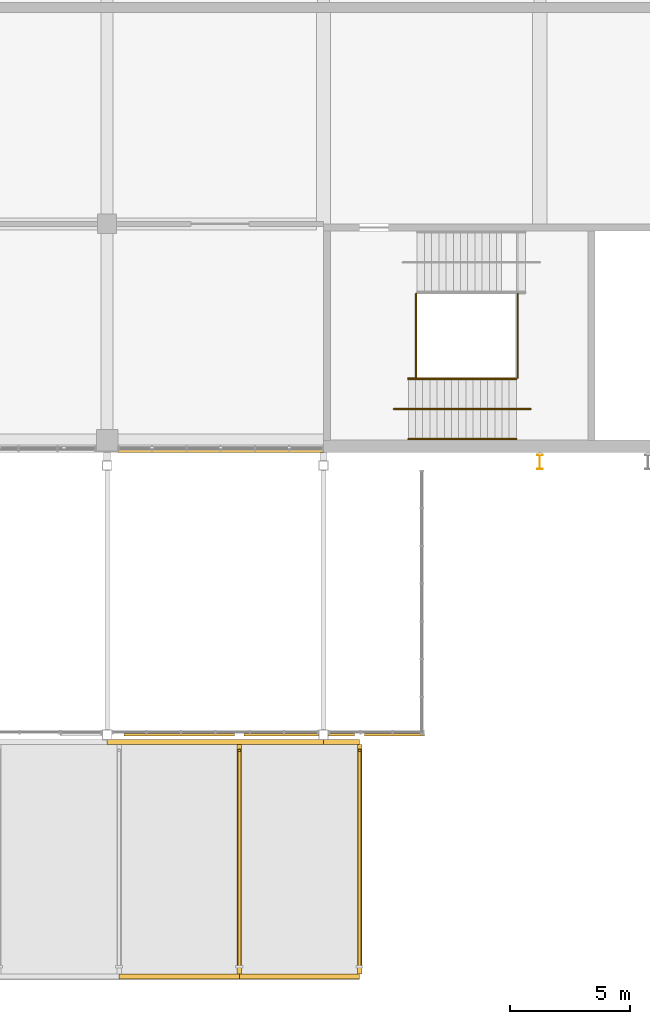
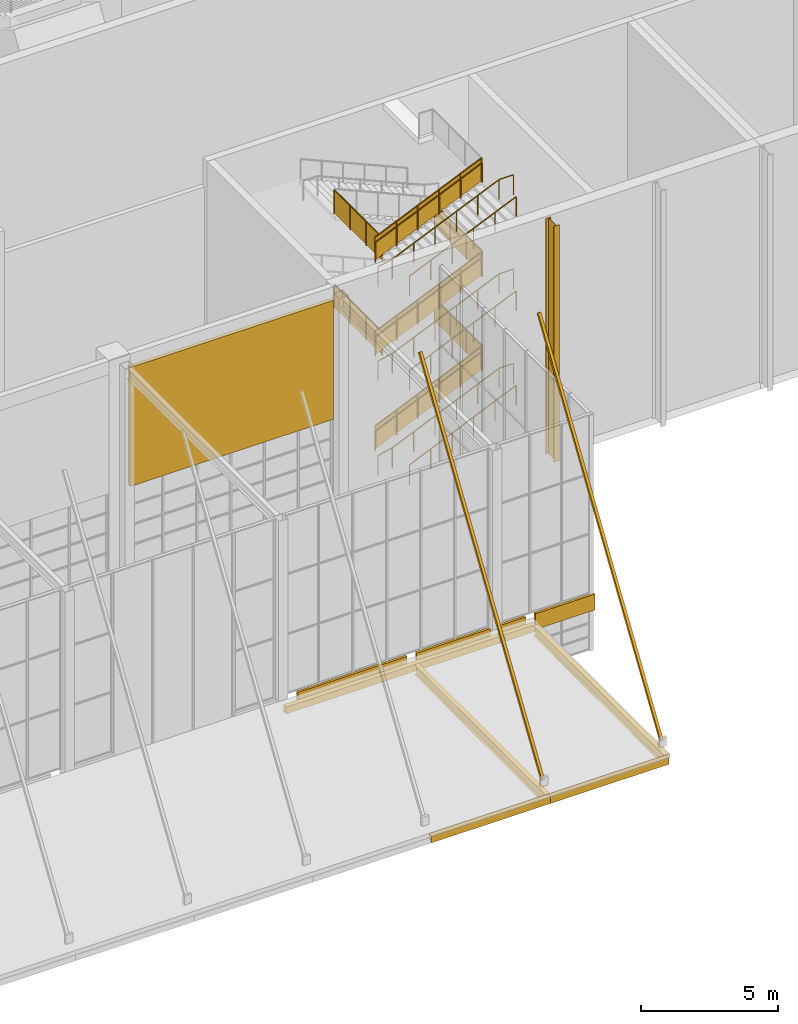
# One storey, part 155 of 182: 16 railings, 9 shading devices, 5 coverings.
"""IFC4 building model written with IfcOpenShell, lengths in metres."""

from ifc_helpers import new_model, si_unit, direction, frame, origin, origin_2d, place, context, subcontext, project, spatial, polyline, hollow_rectangle, circle, i_section, outline, extrude, material, layer, layer_set, material_profile, profile_set, type_object, element, save


model = new_model("IFC4")

# Units and contexts
model_context = context("Model", 3, precision=1e-05, world=origin(), true_north=direction((0.0, 1.0)))
body_context = subcontext(model_context, "Body", "Model", "MODEL_VIEW")
ifc_project = project(units=[si_unit("LENGTHUNIT", "METRE"), si_unit("AREAUNIT", "SQUARE_METRE"), si_unit("VOLUMEUNIT", "CUBIC_METRE"), si_unit("PLANEANGLEUNIT", "RADIAN"), si_unit("MASSUNIT", "GRAM", prefix="KILO")], contexts=[model_context])

# Site, building, storey
site_placement = place(None, origin())
site = spatial("IfcSite", under=ifc_project, at=site_placement, CompositionType="ELEMENT")
building_placement = place(site_placement, origin())
building = spatial("IfcBuilding", under=site, at=building_placement, Name="Silverbay Arena", CompositionType="ELEMENT")
storey_placement = place(building_placement, frame((0.0, 0.0, 11.5)))
storey = spatial("IfcBuildingStorey", under=building, at=storey_placement, Name="L02", CompositionType="ELEMENT", Elevation=11.5)

# Coverings
ifc_material_1 = material(Name="Aluminium composite cladding", Category="aluminium")
ifc_layer_1 = layer(ifc_material_1, 0.10009765625)
ifc_layer_set_1 = layer_set([ifc_layer_1], Name="Aluminium composite cladding")
covering_type_1 = type_object("IfcCoveringType", Name="Canopy band cladding 100", PredefinedType="CLADDING", material=ifc_layer_set_1)
covering_1_placement = place(storey_placement, frame((0.0, 0.0, 1.800048828125)))
element("IfcCovering", 1, at=covering_1_placement, inside=storey, type_object=covering_type_1, Name="Canopy band cladding", PredefinedType="CLADDING", context=body_context, shape_type="SweptSolid", body=[
    extrude(outline(polyline([(135.699951171875, 5.699951171875), (140.300048828125, 5.699951171875), (140.300048828125, 5.800048828125), (135.699951171875, 5.800048828125), (135.699951171875, 5.699951171875)])), origin(), (0.0, 0.0, 1.0), 0.699951171875),
])
covering_2_placement = place(storey_placement, frame((0.0, 0.0, 1.800048828125)))
element("IfcCovering", 2, at=covering_2_placement, inside=storey, type_object=covering_type_1, Name="Canopy band cladding", PredefinedType="CLADDING", context=body_context, shape_type="SweptSolid", body=[
    extrude(outline(polyline([(140.699951171875, 5.699951171875), (143.800048828125, 5.699951171875), (143.800048828125, 5.800048828125), (140.699951171875, 5.800048828125), (140.699951171875, 5.699951171875)])), origin(), (0.0, 0.0, 1.0), 0.699951171875),
])
covering_3_placement = place(storey_placement, frame((0.0, 0.0, 1.800048828125)))
element("IfcCovering", 3, at=covering_3_placement, inside=storey, type_object=covering_type_1, Name="Canopy band cladding", PredefinedType="CLADDING", context=body_context, shape_type="SweptSolid", body=[
    extrude(outline(polyline([(144.199951171875, 5.699951171875), (145.300048828125, 5.699951171875), (145.300048828125, 5.800048828125), (144.199951171875, 5.800048828125), (144.199951171875, 5.699951171875)])), origin(), (0.0, 0.0, 1.0), 0.699951171875),
])
covering_4_placement = place(storey_placement, frame((0.0, 0.0, 1.800048828125)))
element("IfcCovering", 4, at=covering_4_placement, inside=storey, type_object=covering_type_1, Name="Canopy band cladding", PredefinedType="CLADDING", context=body_context, shape_type="SweptSolid", body=[
    extrude(outline(polyline([(145.699951171875, 5.699951171875), (148.199951171875, 5.699951171875), (148.199951171875, 5.800048828125), (145.699951171875, 5.800048828125), (145.699951171875, 5.699951171875)])), origin(), (0.0, 0.0, 1.0), 0.699951171875),
])

# Shading devices
ifc_material_2 = material(Name="Steel S355", Category="steel")
ifc_material_profile_1 = material_profile(ifc_material_2, i_section(OverallWidth=0.18994140625, OverallDepth=0.453369140625, WebThickness=0.008544921875, FlangeThickness=0.0126953125, at=origin_2d()), Name="UB 457x191x67")
ifc_profile_set_1 = profile_set([ifc_material_profile_1], Name="Steel S355")
shading_device_type_1 = type_object("IfcShadingDeviceType", Name="Canopy beam UB 457x191x67", PredefinedType="USERDEFINED", material=ifc_profile_set_1)
for number, where, z_axis, x_axis, name in (
    (5, (140.5, 5.35009765625, 2.0732421875), (0.0, -1.0, 0.0), (1.0, 0.0, 0.0), "South entrance hall S1 canopy beam 6"),
    (6, (145.5, 5.35009765625, 2.0732421875), (0.0, -1.0, 0.0), (1.0, 0.0, 0.0), "South entrance hall S1 canopy beam 7"),
):
    element("IfcShadingDevice", number, at=place(storey_placement, frame(where, z_axis=z_axis, x_axis=x_axis)), inside=storey, type_object=shading_device_type_1, Name=name, ObjectType="CANOPY FRAME", PredefinedType="USERDEFINED", context=body_context, shape_type="SweptSolid", body=[
        extrude(i_section(OverallWidth=0.18994140625, OverallDepth=0.453369140625, WebThickness=0.008544921875, FlangeThickness=0.0126953125, at=origin_2d()), origin(), (0.0, 0.0, 1.0), 9.550048828125),
    ])
ifc_material_3 = material(Name="Steel S355", Category="steel")
ifc_material_profile_2 = material_profile(ifc_material_3, hollow_rectangle(XDim=0.199951171875, YDim=0.300048828125, WallThickness=0.008056640625, at=origin_2d()), Name="RHS 300x200x8")
ifc_profile_set_2 = profile_set([ifc_material_profile_2], Name="Steel S355")
shading_device_type_2 = type_object("IfcShadingDeviceType", Name="Canopy edge beam RHS 300x200x8", PredefinedType="USERDEFINED", material=ifc_profile_set_2)
for number, where, z_axis, x_axis, name in (
    (7, (135.5, -4.300048828125, 2.14990234375), (1.0, 0.0, 0.0), (0.0, 1.0, 0.0), "South entrance hall S1 canopy edge beam 5"),
    (8, (140.5, -4.300048828125, 2.14990234375), (1.0, 0.0, 0.0), (0.0, 1.0, 0.0), "South entrance hall S1 canopy edge beam 6"),
):
    element("IfcShadingDevice", number, at=place(storey_placement, frame(where, z_axis=z_axis, x_axis=x_axis)), inside=storey, type_object=shading_device_type_2, Name=name, ObjectType="CANOPY FRAME", PredefinedType="USERDEFINED", context=body_context, shape_type="SweptSolid", body=[
        extrude(hollow_rectangle(XDim=0.199951171875, YDim=0.300048828125, WallThickness=0.008056640625, at=origin_2d()), origin(), (0.0, 0.0, 1.0), 5.0),
    ])
ifc_material_4 = material(Name="Steel S355", Category="steel")
ifc_material_profile_3 = material_profile(ifc_material_4, hollow_rectangle(XDim=0.199951171875, YDim=0.300048828125, WallThickness=0.008056640625, at=origin_2d()), Name="RHS 300x200x8")
ifc_profile_set_3 = profile_set([ifc_material_profile_3], Name="Steel S355")
shading_device_type_3 = type_object("IfcShadingDeviceType", Name="Canopy rail RHS 300x200x8", PredefinedType="USERDEFINED", material=ifc_profile_set_3)
shading_device_1_placement = place(storey_placement, frame((135.0, 5.449951171875, 2.14990234375), z_axis=(1.0, 0.0, 0.0), x_axis=(0.0, 1.0, 0.0)))
element("IfcShadingDevice", 9, at=shading_device_1_placement, inside=storey, type_object=shading_device_type_3, Name="South entrance hall S1 canopy rail 4", ObjectType="CANOPY FRAME", PredefinedType="USERDEFINED", context=body_context, shape_type="SweptSolid", body=[
    extrude(hollow_rectangle(XDim=0.199951171875, YDim=0.300048828125, WallThickness=0.008056640625, at=origin_2d()), origin(), (0.0, 0.0, 1.0), 9.0),
])
shading_device_2_placement = place(storey_placement, frame((144.0, 5.449951171875, 2.14990234375), z_axis=(1.0, 0.0, 0.0), x_axis=(0.0, 1.0, 0.0)))
element("IfcShadingDevice", 10, at=shading_device_2_placement, inside=storey, type_object=shading_device_type_3, Name="South entrance hall S1 canopy rail 5", ObjectType="CANOPY FRAME", PredefinedType="USERDEFINED", context=body_context, shape_type="SweptSolid", body=[
    extrude(hollow_rectangle(XDim=0.199951171875, YDim=0.300048828125, WallThickness=0.008056640625, at=origin_2d()), origin(), (0.0, 0.0, 1.0), 1.5),
])
ifc_material_5 = material(Name="Steel S355", Category="steel")
ifc_material_profile_4 = material_profile(ifc_material_5, hollow_rectangle(XDim=0.1201171875, YDim=0.1201171875, WallThickness=0.00634765625, at=origin_2d()), Name="SHS 120x120x6.3")
ifc_profile_set_4 = profile_set([ifc_material_profile_4], Name="Steel S355")
shading_device_type_4 = type_object("IfcShadingDeviceType", Name="Canopy tie SHS 120x120x6.3", PredefinedType="USERDEFINED", material=ifc_profile_set_4)
for number, where, z_axis, x_axis, name in (
    (11, (140.5, 5.10009765625, 16.35009765625), (0.0, -0.54832609761, -0.83626460566), (1.0, 0.0, 0.0), "South entrance hall S1 canopy tie 6"),
    (12, (145.5, 5.10009765625, 16.35009765625), (0.0, -0.54832609761, -0.83626460566), (1.0, 0.0, 0.0), "South entrance hall S1 canopy tie 7"),
):
    element("IfcShadingDevice", number, at=place(storey_placement, frame(where, z_axis=z_axis, x_axis=x_axis)), inside=storey, type_object=shading_device_type_4, Name=name, ObjectType="CANOPY FRAME", PredefinedType="USERDEFINED", context=body_context, shape_type="SweptSolid", body=[
        extrude(hollow_rectangle(XDim=0.1201171875, YDim=0.1201171875, WallThickness=0.00634765625, at=origin_2d()), origin(), (0.0, 0.0, 1.0), 16.32275390625),
    ])

# Covering
ifc_material_6 = material(Name="Aluminium composite cladding", Category="aluminium")
ifc_layer_2 = layer(ifc_material_6, 0.14990234375)
ifc_layer_set_2 = layer_set([ifc_layer_2], Name="Aluminium composite cladding")
covering_type_2 = type_object("IfcCoveringType", Name="Facade cladding panel 150", PredefinedType="CLADDING", material=ifc_layer_set_2)
covering_5_placement = place(storey_placement, frame((0.0, 0.0, 4.60009765625)))
element("IfcCovering", 13, at=covering_5_placement, inside=storey, type_object=covering_type_2, Name="South facade cladding L02 bay 10", PredefinedType="CLADDING", context=body_context, shape_type="SweptSolid", body=[
    extrude(outline(polyline([(135.449951171875, 17.5), (144.0, 17.5), (144.0, 17.64990234375), (135.449951171875, 17.64990234375), (135.449951171875, 17.5)])), origin(), (0.0, 0.0, 1.0), 5.2998046875),
])

# Railings
ifc_material_7 = material(Name="Stainless steel", Category="steel")
railing_type_1 = type_object("IfcRailingType", Name="Stair guard 1100", PredefinedType="GUARDRAIL", material=ifc_material_7)
railing_1_placement = place(storey_placement, frame((147.52587890625, 20.574951171875, 0.13134765625)))
element("IfcRailing", 14, at=railing_1_placement, inside=storey, type_object=railing_type_1, Name="Stair ST-S3 L02 to L03 flight 1 guard left", PredefinedType="GUARDRAIL", context=body_context, shape_type="SweptSolid", body=[
    extrude(circle(Radius=0.02392578125, at=origin_2d()), frame((0.0, 0.0, 1.076171875), z_axis=(0.916157334902, 0.0, 0.40081883402), x_axis=(0.0, 1.0, 0.0)), (0.0, 0.0, 1.0), 4.911865234375),
    extrude(outline(polyline([(-0.008056640625, 0.04638671875), (0.907958984375, 0.447265625), (0.907958984375, 1.4501953125), (-0.008056640625, 1.049560546875), (-0.008056640625, 0.04638671875)])), frame((0.0, 0.0029296875, 0.0), z_axis=(0.0, -1.0, 0.0), x_axis=(1.0, 0.0, 0.0)), (0.0, 0.0, 1.0), 0.006103515625),
    extrude(outline(polyline([(-0.008056640625, 0.440185546875), (0.907958984375, 0.841064453125), (0.907958984375, 1.843994140625), (-0.008056640625, 1.443359375), (-0.008056640625, 0.440185546875)])), frame((0.89990234375, 0.0029296875, 0.0), z_axis=(0.0, -1.0, 0.0), x_axis=(1.0, 0.0, 0.0)), (0.0, 0.0, 1.0), 0.006103515625),
    extrude(outline(polyline([(-0.008056640625, 0.833984375), (0.907958984375, 1.23486328125), (0.907958984375, 2.23779296875), (-0.008056640625, 1.8369140625), (-0.008056640625, 0.833984375)])), frame((1.800048828125, 0.0029296875, 0.0), z_axis=(0.0, -1.0, 0.0), x_axis=(1.0, 0.0, 0.0)), (0.0, 0.0, 1.0), 0.006103515625),
    extrude(outline(polyline([(-0.008056640625, 1.227783203125), (0.907958984375, 1.62841796875), (0.907958984375, 2.631591796875), (-0.008056640625, 2.230712890625), (-0.008056640625, 1.227783203125)])), frame((2.699951171875, 0.0029296875, 0.0), z_axis=(0.0, -1.0, 0.0), x_axis=(1.0, 0.0, 0.0)), (0.0, 0.0, 1.0), 0.006103515625),
    extrude(outline(polyline([(-0.008056640625, 1.62158203125), (0.907958984375, 2.022216796875), (0.907958984375, 3.025146484375), (-0.008056640625, 2.62451171875), (-0.008056640625, 1.62158203125)])), frame((3.60009765625, 0.0029296875, 0.0), z_axis=(0.0, -1.0, 0.0), x_axis=(1.0, 0.0, 0.0)), (0.0, 0.0, 1.0), 0.006103515625),
    extrude(circle(Radius=0.02099609375, at=origin_2d()), origin(), (0.0, 0.0, 1.0), 1.052001953125),
    extrude(circle(Radius=0.02099609375, at=origin_2d()), frame((0.89990234375, 0.0, 0.393798828125)), (0.0, 0.0, 1.0), 1.052001953125),
    extrude(circle(Radius=0.02099609375, at=origin_2d()), frame((1.800048828125, 0.0, 0.78759765625)), (0.0, 0.0, 1.0), 1.052001953125),
    extrude(circle(Radius=0.02099609375, at=origin_2d()), frame((2.699951171875, 0.0, 1.18115234375)), (0.0, 0.0, 1.0), 1.052001953125),
    extrude(circle(Radius=0.02099609375, at=origin_2d()), frame((3.60009765625, 0.0, 1.574951171875)), (0.0, 0.0, 1.0), 1.052001953125),
    extrude(circle(Radius=0.02099609375, at=origin_2d()), frame((4.5, 0.0, 1.96875)), (0.0, 0.0, 1.0), 1.052001953125),
])
railing_2_placement = place(storey_placement, frame((147.52587890625, 20.574951171875, 4.331298828125)))
element("IfcRailing", 15, at=railing_2_placement, inside=storey, type_object=railing_type_1, Name="Stair ST-S3 L02 to L03 flight 3 guard left", PredefinedType="GUARDRAIL", context=body_context, shape_type="SweptSolid", body=[
    extrude(circle(Radius=0.02392578125, at=origin_2d()), frame((0.0, 0.0, 1.076171875), z_axis=(0.916157334902, 0.0, 0.40081883402), x_axis=(0.0, 1.0, 0.0)), (0.0, 0.0, 1.0), 4.911865234375),
    extrude(outline(polyline([(-0.008056640625, 0.04638671875), (0.907958984375, 0.447265625), (0.907958984375, 1.4501953125), (-0.008056640625, 1.049560546875), (-0.008056640625, 0.04638671875)])), frame((0.0, 0.0029296875, 0.0), z_axis=(0.0, -1.0, 0.0), x_axis=(1.0, 0.0, 0.0)), (0.0, 0.0, 1.0), 0.006103515625),
    extrude(outline(polyline([(-0.008056640625, 0.440185546875), (0.907958984375, 0.841064453125), (0.907958984375, 1.843994140625), (-0.008056640625, 1.443359375), (-0.008056640625, 0.440185546875)])), frame((0.89990234375, 0.0029296875, 0.0), z_axis=(0.0, -1.0, 0.0), x_axis=(1.0, 0.0, 0.0)), (0.0, 0.0, 1.0), 0.006103515625),
    extrude(outline(polyline([(-0.008056640625, 0.833984375), (0.907958984375, 1.23486328125), (0.907958984375, 2.23779296875), (-0.008056640625, 1.8369140625), (-0.008056640625, 0.833984375)])), frame((1.800048828125, 0.0029296875, 0.0), z_axis=(0.0, -1.0, 0.0), x_axis=(1.0, 0.0, 0.0)), (0.0, 0.0, 1.0), 0.006103515625),
    extrude(outline(polyline([(-0.008056640625, 1.227783203125), (0.907958984375, 1.62841796875), (0.907958984375, 2.631591796875), (-0.008056640625, 2.230712890625), (-0.008056640625, 1.227783203125)])), frame((2.699951171875, 0.0029296875, 0.0), z_axis=(0.0, -1.0, 0.0), x_axis=(1.0, 0.0, 0.0)), (0.0, 0.0, 1.0), 0.006103515625),
    extrude(outline(polyline([(-0.008056640625, 1.62158203125), (0.907958984375, 2.022216796875), (0.907958984375, 3.025146484375), (-0.008056640625, 2.62451171875), (-0.008056640625, 1.62158203125)])), frame((3.60009765625, 0.0029296875, 0.0), z_axis=(0.0, -1.0, 0.0), x_axis=(1.0, 0.0, 0.0)), (0.0, 0.0, 1.0), 0.006103515625),
    extrude(circle(Radius=0.02099609375, at=origin_2d()), origin(), (0.0, 0.0, 1.0), 1.052001953125),
    extrude(circle(Radius=0.02099609375, at=origin_2d()), frame((0.89990234375, 0.0, 0.393798828125)), (0.0, 0.0, 1.0), 1.052001953125),
    extrude(circle(Radius=0.02099609375, at=origin_2d()), frame((1.800048828125, 0.0, 0.78759765625)), (0.0, 0.0, 1.0), 1.052001953125),
    extrude(circle(Radius=0.02099609375, at=origin_2d()), frame((2.699951171875, 0.0, 1.18115234375)), (0.0, 0.0, 1.0), 1.052001953125),
    extrude(circle(Radius=0.02099609375, at=origin_2d()), frame((3.60009765625, 0.0, 1.574951171875)), (0.0, 0.0, 1.0), 1.052001953125),
    extrude(circle(Radius=0.02099609375, at=origin_2d()), frame((4.5, 0.0, 1.96875)), (0.0, 0.0, 1.0), 1.052001953125),
])
railing_3_placement = place(storey_placement, frame((147.52587890625, 20.574951171875, 8.53125)))
element("IfcRailing", 16, at=railing_3_placement, inside=storey, type_object=railing_type_1, Name="Stair ST-S3 L02 to L03 flight 5 guard left", PredefinedType="GUARDRAIL", context=body_context, shape_type="SweptSolid", body=[
    extrude(circle(Radius=0.02392578125, at=origin_2d()), frame((0.0, 0.0, 1.076171875), z_axis=(0.916157334902, 0.0, 0.40081883402), x_axis=(0.0, 1.0, 0.0)), (0.0, 0.0, 1.0), 4.911865234375),
    extrude(outline(polyline([(-0.008056640625, 0.04638671875), (0.907958984375, 0.447265625), (0.907958984375, 1.4501953125), (-0.008056640625, 1.049560546875), (-0.008056640625, 0.04638671875)])), frame((0.0, 0.0029296875, 0.0), z_axis=(0.0, -1.0, 0.0), x_axis=(1.0, 0.0, 0.0)), (0.0, 0.0, 1.0), 0.006103515625),
    extrude(outline(polyline([(-0.008056640625, 0.440185546875), (0.907958984375, 0.841064453125), (0.907958984375, 1.843994140625), (-0.008056640625, 1.443359375), (-0.008056640625, 0.440185546875)])), frame((0.89990234375, 0.0029296875, 0.0), z_axis=(0.0, -1.0, 0.0), x_axis=(1.0, 0.0, 0.0)), (0.0, 0.0, 1.0), 0.006103515625),
    extrude(outline(polyline([(-0.008056640625, 0.833984375), (0.907958984375, 1.23486328125), (0.907958984375, 2.23779296875), (-0.008056640625, 1.8369140625), (-0.008056640625, 0.833984375)])), frame((1.800048828125, 0.0029296875, 0.0), z_axis=(0.0, -1.0, 0.0), x_axis=(1.0, 0.0, 0.0)), (0.0, 0.0, 1.0), 0.006103515625),
    extrude(outline(polyline([(-0.008056640625, 1.227783203125), (0.907958984375, 1.62841796875), (0.907958984375, 2.631591796875), (-0.008056640625, 2.230712890625), (-0.008056640625, 1.227783203125)])), frame((2.699951171875, 0.0029296875, 0.0), z_axis=(0.0, -1.0, 0.0), x_axis=(1.0, 0.0, 0.0)), (0.0, 0.0, 1.0), 0.006103515625),
    extrude(outline(polyline([(-0.008056640625, 1.62158203125), (0.907958984375, 2.022216796875), (0.907958984375, 3.025146484375), (-0.008056640625, 2.62451171875), (-0.008056640625, 1.62158203125)])), frame((3.60009765625, 0.0029296875, 0.0), z_axis=(0.0, -1.0, 0.0), x_axis=(1.0, 0.0, 0.0)), (0.0, 0.0, 1.0), 0.006103515625),
    extrude(circle(Radius=0.02099609375, at=origin_2d()), origin(), (0.0, 0.0, 1.0), 1.052001953125),
    extrude(circle(Radius=0.02099609375, at=origin_2d()), frame((0.89990234375, 0.0, 0.393798828125)), (0.0, 0.0, 1.0), 1.052001953125),
    extrude(circle(Radius=0.02099609375, at=origin_2d()), frame((1.800048828125, 0.0, 0.78759765625)), (0.0, 0.0, 1.0), 1.052001953125),
    extrude(circle(Radius=0.02099609375, at=origin_2d()), frame((2.699951171875, 0.0, 1.18115234375)), (0.0, 0.0, 1.0), 1.052001953125),
    extrude(circle(Radius=0.02099609375, at=origin_2d()), frame((3.60009765625, 0.0, 1.574951171875)), (0.0, 0.0, 1.0), 1.052001953125),
    extrude(circle(Radius=0.02099609375, at=origin_2d()), frame((4.5, 0.0, 1.96875)), (0.0, 0.0, 1.0), 1.052001953125),
])
for number, where, name in (
    (17, (152.07568359375, 24.10009765625, 2.10009765625), "Stair ST-S3 L02 to L03 landing 1 guard"),
    (18, (147.85009765625, 24.10009765625, 4.199951171875), "Stair ST-S3 L02 to L03 landing 2 guard"),
    (19, (152.07568359375, 24.10009765625, 6.300048828125), "Stair ST-S3 L02 to L03 landing 3 guard"),
    (20, (147.85009765625, 24.10009765625, 8.39990234375), "Stair ST-S3 L02 to L03 landing 4 guard"),
):
    element("IfcRailing", number, at=place(storey_placement, frame(where)), inside=storey, type_object=railing_type_1, Name=name, PredefinedType="GUARDRAIL", context=body_context, shape_type="SweptSolid", body=[
        extrude(circle(Radius=0.02392578125, at=origin_2d()), frame((0.0, 0.0, 1.076171875), z_axis=(0.0, -1.0, 0.0), x_axis=(1.0, 0.0, 0.0)), (0.0, 0.0, 1.0), 3.5),
        extrude(outline(polyline([(-0.008056640625, 0.050048828125), (1.174560546875, 0.050048828125), (1.174560546875, 1.052978515625), (-0.008056640625, 1.052978515625), (-0.008056640625, 0.050048828125)])), frame((0.0029296875, 0.0, 0.0), z_axis=(-1.0, 0.0, 0.0), x_axis=(0.0, -1.0, 0.0)), (0.0, 0.0, 1.0), 0.006103515625),
        extrude(outline(polyline([(-0.008056640625, 0.050048828125), (1.174560546875, 0.050048828125), (1.174560546875, 1.052978515625), (-0.008056640625, 1.052978515625), (-0.008056640625, 0.050048828125)])), frame((0.0029296875, -1.166748046875, 0.0), z_axis=(-1.0, 0.0, 0.0), x_axis=(0.0, -1.0, 0.0)), (0.0, 0.0, 1.0), 0.006103515625),
        extrude(outline(polyline([(-0.008056640625, 0.050048828125), (1.174560546875, 0.050048828125), (1.174560546875, 1.052978515625), (-0.008056640625, 1.052978515625), (-0.008056640625, 0.050048828125)])), frame((0.0029296875, -2.333251953125, 0.0), z_axis=(-1.0, 0.0, 0.0), x_axis=(0.0, -1.0, 0.0)), (0.0, 0.0, 1.0), 0.006103515625),
        extrude(circle(Radius=0.02099609375, at=origin_2d()), origin(), (0.0, 0.0, 1.0), 1.052001953125),
        extrude(circle(Radius=0.02099609375, at=origin_2d()), frame((0.0, -1.166748046875, 0.0)), (0.0, 0.0, 1.0), 1.052001953125),
        extrude(circle(Radius=0.02099609375, at=origin_2d()), frame((0.0, -2.333251953125, 0.0)), (0.0, 0.0, 1.0), 1.052001953125),
        extrude(circle(Radius=0.02099609375, at=origin_2d()), frame((0.0, -3.5, 0.0)), (0.0, 0.0, 1.0), 1.052001953125),
    ])
ifc_material_8 = material(Name="Stainless steel", Category="steel")
railing_type_2 = type_object("IfcRailingType", Name="Stair handrail 900", PredefinedType="HANDRAIL", material=ifc_material_8)
for number, where, name in (
    (21, (147.52587890625, 20.535888671875, 0.13134765625), "Stair ST-S3 L02 to L03 flight 1 handrail left"),
    (22, (147.52587890625, 18.050048828125, 0.13134765625), "Stair ST-S3 L02 to L03 flight 1 handrail right"),
):
    element("IfcRailing", number, at=place(storey_placement, frame(where)), inside=storey, type_object=railing_type_2, Name=name, PredefinedType="HANDRAIL", context=body_context, shape_type="SweptSolid", body=[
        extrude(circle(Radius=0.02392578125, at=origin_2d()), frame((0.0, 0.0, 0.8759765625), z_axis=(0.916157334902, 0.0, 0.40081883402), x_axis=(0.0, 1.0, 0.0)), (0.0, 0.0, 1.0), 4.911865234375),
        extrude(circle(Radius=0.02099609375, at=origin_2d()), origin(), (0.0, 0.0, 1.0), 0.851806640625),
        extrude(circle(Radius=0.02099609375, at=origin_2d()), frame((0.89990234375, 0.0, 0.393798828125)), (0.0, 0.0, 1.0), 0.851806640625),
        extrude(circle(Radius=0.02099609375, at=origin_2d()), frame((1.800048828125, 0.0, 0.78759765625)), (0.0, 0.0, 1.0), 0.851806640625),
        extrude(circle(Radius=0.02099609375, at=origin_2d()), frame((2.699951171875, 0.0, 1.18115234375)), (0.0, 0.0, 1.0), 0.851806640625),
        extrude(circle(Radius=0.02099609375, at=origin_2d()), frame((3.60009765625, 0.0, 1.574951171875)), (0.0, 0.0, 1.0), 0.851806640625),
        extrude(circle(Radius=0.02099609375, at=origin_2d()), frame((4.5, 0.0, 1.96875)), (0.0, 0.0, 1.0), 0.851806640625),
    ])
railing_4_placement = place(storey_placement, frame((146.92578125, 19.300048828125, 0.0)))
element("IfcRailing", 23, at=railing_4_placement, inside=storey, type_object=railing_type_2, Name="Stair ST-S3 L02 to L03 flight 1 central handrail", PredefinedType="HANDRAIL", context=body_context, shape_type="SweptSolid", body=[
    extrude(circle(Radius=0.02392578125, at=origin_2d()), frame((0.0, 0.0, 0.8759765625), z_axis=(0.976874083041, 0.0, 0.213815401414), x_axis=(0.0, 1.0, 0.0)), (0.0, 0.0, 1.0), 0.6142578125),
    extrude(circle(Radius=0.02392578125, at=origin_2d()), frame((0.60009765625, 0.0, 1.00732421875), z_axis=(0.916157334902, 0.0, 0.40081883402), x_axis=(0.0, 1.0, 0.0)), (0.0, 0.0, 1.0), 4.911865234375),
    extrude(circle(Radius=0.02392578125, at=origin_2d()), frame((5.10009765625, 0.0, 2.97607421875), z_axis=(1.0, 0.0, 0.0), x_axis=(0.0, 1.0, 0.0)), (0.0, 0.0, 1.0), 0.599853515625),
    extrude(circle(Radius=0.02099609375, at=origin_2d()), origin(), (0.0, 0.0, 1.0), 0.851806640625),
    extrude(circle(Radius=0.02099609375, at=origin_2d()), frame((0.60009765625, 0.0, 0.13134765625)), (0.0, 0.0, 1.0), 0.851806640625),
    extrude(circle(Radius=0.02099609375, at=origin_2d()), frame((1.5, 0.0, 0.525146484375)), (0.0, 0.0, 1.0), 0.851806640625),
    extrude(circle(Radius=0.02099609375, at=origin_2d()), frame((2.400146484375, 0.0, 0.9189453125)), (0.0, 0.0, 1.0), 0.851806640625),
    extrude(circle(Radius=0.02099609375, at=origin_2d()), frame((3.300048828125, 0.0, 1.3125)), (0.0, 0.0, 1.0), 0.851806640625),
    extrude(circle(Radius=0.02099609375, at=origin_2d()), frame((4.2001953125, 0.0, 1.706298828125)), (0.0, 0.0, 1.0), 0.851806640625),
    extrude(circle(Radius=0.02099609375, at=origin_2d()), frame((5.10009765625, 0.0, 2.10009765625)), (0.0, 0.0, 1.0), 0.851806640625),
    extrude(circle(Radius=0.02099609375, at=origin_2d()), frame((5.699951171875, 0.0, 2.10009765625)), (0.0, 0.0, 1.0), 0.851806640625),
])
for number, where, name in (
    (24, (147.52587890625, 20.535888671875, 4.331298828125), "Stair ST-S3 L02 to L03 flight 3 handrail left"),
    (25, (147.52587890625, 18.050048828125, 4.331298828125), "Stair ST-S3 L02 to L03 flight 3 handrail right"),
):
    element("IfcRailing", number, at=place(storey_placement, frame(where)), inside=storey, type_object=railing_type_2, Name=name, PredefinedType="HANDRAIL", context=body_context, shape_type="SweptSolid", body=[
        extrude(circle(Radius=0.02392578125, at=origin_2d()), frame((0.0, 0.0, 0.8759765625), z_axis=(0.916157334902, 0.0, 0.40081883402), x_axis=(0.0, 1.0, 0.0)), (0.0, 0.0, 1.0), 4.911865234375),
        extrude(circle(Radius=0.02099609375, at=origin_2d()), origin(), (0.0, 0.0, 1.0), 0.851806640625),
        extrude(circle(Radius=0.02099609375, at=origin_2d()), frame((0.89990234375, 0.0, 0.393798828125)), (0.0, 0.0, 1.0), 0.851806640625),
        extrude(circle(Radius=0.02099609375, at=origin_2d()), frame((1.800048828125, 0.0, 0.78759765625)), (0.0, 0.0, 1.0), 0.851806640625),
        extrude(circle(Radius=0.02099609375, at=origin_2d()), frame((2.699951171875, 0.0, 1.18115234375)), (0.0, 0.0, 1.0), 0.851806640625),
        extrude(circle(Radius=0.02099609375, at=origin_2d()), frame((3.60009765625, 0.0, 1.574951171875)), (0.0, 0.0, 1.0), 0.851806640625),
        extrude(circle(Radius=0.02099609375, at=origin_2d()), frame((4.5, 0.0, 1.96875)), (0.0, 0.0, 1.0), 0.851806640625),
    ])
railing_5_placement = place(storey_placement, frame((146.92578125, 19.300048828125, 4.199951171875)))
element("IfcRailing", 26, at=railing_5_placement, inside=storey, type_object=railing_type_2, Name="Stair ST-S3 L02 to L03 flight 3 central handrail", PredefinedType="HANDRAIL", context=body_context, shape_type="SweptSolid", body=[
    extrude(circle(Radius=0.02392578125, at=origin_2d()), frame((0.0, 0.0, 0.8759765625), z_axis=(0.976874083041, 0.0, 0.213815401414), x_axis=(0.0, 1.0, 0.0)), (0.0, 0.0, 1.0), 0.6142578125),
    extrude(circle(Radius=0.02392578125, at=origin_2d()), frame((0.60009765625, 0.0, 1.00732421875), z_axis=(0.916157334902, 0.0, 0.40081883402), x_axis=(0.0, 1.0, 0.0)), (0.0, 0.0, 1.0), 4.911865234375),
    extrude(circle(Radius=0.02392578125, at=origin_2d()), frame((5.10009765625, 0.0, 2.97607421875), z_axis=(1.0, 0.0, 0.0), x_axis=(0.0, 1.0, 0.0)), (0.0, 0.0, 1.0), 0.599853515625),
    extrude(circle(Radius=0.02099609375, at=origin_2d()), origin(), (0.0, 0.0, 1.0), 0.851806640625),
    extrude(circle(Radius=0.02099609375, at=origin_2d()), frame((0.60009765625, 0.0, 0.13134765625)), (0.0, 0.0, 1.0), 0.851806640625),
    extrude(circle(Radius=0.02099609375, at=origin_2d()), frame((1.5, 0.0, 0.525146484375)), (0.0, 0.0, 1.0), 0.851806640625),
    extrude(circle(Radius=0.02099609375, at=origin_2d()), frame((2.400146484375, 0.0, 0.9189453125)), (0.0, 0.0, 1.0), 0.851806640625),
    extrude(circle(Radius=0.02099609375, at=origin_2d()), frame((3.300048828125, 0.0, 1.3125)), (0.0, 0.0, 1.0), 0.851806640625),
    extrude(circle(Radius=0.02099609375, at=origin_2d()), frame((4.2001953125, 0.0, 1.706298828125)), (0.0, 0.0, 1.0), 0.851806640625),
    extrude(circle(Radius=0.02099609375, at=origin_2d()), frame((5.10009765625, 0.0, 2.10009765625)), (0.0, 0.0, 1.0), 0.851806640625),
    extrude(circle(Radius=0.02099609375, at=origin_2d()), frame((5.699951171875, 0.0, 2.10009765625)), (0.0, 0.0, 1.0), 0.851806640625),
])
for number, where, name in (
    (27, (147.52587890625, 20.535888671875, 8.53125), "Stair ST-S3 L02 to L03 flight 5 handrail left"),
    (28, (147.52587890625, 18.050048828125, 8.53125), "Stair ST-S3 L02 to L03 flight 5 handrail right"),
):
    element("IfcRailing", number, at=place(storey_placement, frame(where)), inside=storey, type_object=railing_type_2, Name=name, PredefinedType="HANDRAIL", context=body_context, shape_type="SweptSolid", body=[
        extrude(circle(Radius=0.02392578125, at=origin_2d()), frame((0.0, 0.0, 0.8759765625), z_axis=(0.916157334902, 0.0, 0.40081883402), x_axis=(0.0, 1.0, 0.0)), (0.0, 0.0, 1.0), 4.911865234375),
        extrude(circle(Radius=0.02099609375, at=origin_2d()), origin(), (0.0, 0.0, 1.0), 0.851806640625),
        extrude(circle(Radius=0.02099609375, at=origin_2d()), frame((0.89990234375, 0.0, 0.393798828125)), (0.0, 0.0, 1.0), 0.851806640625),
        extrude(circle(Radius=0.02099609375, at=origin_2d()), frame((1.800048828125, 0.0, 0.78759765625)), (0.0, 0.0, 1.0), 0.851806640625),
        extrude(circle(Radius=0.02099609375, at=origin_2d()), frame((2.699951171875, 0.0, 1.18115234375)), (0.0, 0.0, 1.0), 0.851806640625),
        extrude(circle(Radius=0.02099609375, at=origin_2d()), frame((3.60009765625, 0.0, 1.574951171875)), (0.0, 0.0, 1.0), 0.851806640625),
        extrude(circle(Radius=0.02099609375, at=origin_2d()), frame((4.5, 0.0, 1.96875)), (0.0, 0.0, 1.0), 0.851806640625),
    ])
railing_6_placement = place(storey_placement, frame((146.92578125, 19.300048828125, 8.39990234375)))
element("IfcRailing", 29, at=railing_6_placement, inside=storey, type_object=railing_type_2, Name="Stair ST-S3 L02 to L03 flight 5 central handrail", PredefinedType="HANDRAIL", context=body_context, shape_type="SweptSolid", body=[
    extrude(circle(Radius=0.02392578125, at=origin_2d()), frame((0.0, 0.0, 0.8759765625), z_axis=(0.976874083041, 0.0, 0.213815401414), x_axis=(0.0, 1.0, 0.0)), (0.0, 0.0, 1.0), 0.6142578125),
    extrude(circle(Radius=0.02392578125, at=origin_2d()), frame((0.60009765625, 0.0, 1.00732421875), z_axis=(0.916157334902, 0.0, 0.40081883402), x_axis=(0.0, 1.0, 0.0)), (0.0, 0.0, 1.0), 4.911865234375),
    extrude(circle(Radius=0.02392578125, at=origin_2d()), frame((5.10009765625, 0.0, 2.97607421875), z_axis=(1.0, 0.0, 0.0), x_axis=(0.0, 1.0, 0.0)), (0.0, 0.0, 1.0), 0.599853515625),
    extrude(circle(Radius=0.02099609375, at=origin_2d()), origin(), (0.0, 0.0, 1.0), 0.851806640625),
    extrude(circle(Radius=0.02099609375, at=origin_2d()), frame((0.60009765625, 0.0, 0.13134765625)), (0.0, 0.0, 1.0), 0.851806640625),
    extrude(circle(Radius=0.02099609375, at=origin_2d()), frame((1.5, 0.0, 0.525146484375)), (0.0, 0.0, 1.0), 0.851806640625),
    extrude(circle(Radius=0.02099609375, at=origin_2d()), frame((2.400146484375, 0.0, 0.9189453125)), (0.0, 0.0, 1.0), 0.851806640625),
    extrude(circle(Radius=0.02099609375, at=origin_2d()), frame((3.300048828125, 0.0, 1.3125)), (0.0, 0.0, 1.0), 0.851806640625),
    extrude(circle(Radius=0.02099609375, at=origin_2d()), frame((4.2001953125, 0.0, 1.706298828125)), (0.0, 0.0, 1.0), 0.851806640625),
    extrude(circle(Radius=0.02099609375, at=origin_2d()), frame((5.10009765625, 0.0, 2.10009765625)), (0.0, 0.0, 1.0), 0.851806640625),
    extrude(circle(Radius=0.02099609375, at=origin_2d()), frame((5.699951171875, 0.0, 2.10009765625)), (0.0, 0.0, 1.0), 0.851806640625),
])

# Shading device
ifc_material_9 = material(Name="Steel S355", Category="steel")
ifc_material_profile_5 = material_profile(ifc_material_9, i_section(OverallWidth=0.2275390625, OverallDepth=0.6025390625, WebThickness=0.010498046875, FlangeThickness=0.014892578125, at=origin_2d()), Name="UB 610x229x101")
ifc_profile_set_5 = profile_set([ifc_material_profile_5], Name="Steel S355")
shading_device_type_5 = type_object("IfcShadingDeviceType", Name="Steel fin UB 610x229x101", PredefinedType="USERDEFINED", material=ifc_profile_set_5)
shading_device_3_placement = place(storey_placement, frame((153.0, 17.0986328125, 0.0), z_axis=(0.0, 0.0, 1.0), x_axis=(1.0, 0.0, 0.0)))
element("IfcShadingDevice", 30, at=shading_device_3_placement, inside=storey, type_object=shading_device_type_5, Name="Steel fin S L02 22", ObjectType="FIN", PredefinedType="USERDEFINED", context=body_context, shape_type="SweptSolid", body=[
    extrude(i_section(OverallWidth=0.2275390625, OverallDepth=0.6025390625, WebThickness=0.010498046875, FlangeThickness=0.014892578125, at=origin_2d()), origin(), (0.0, 0.0, 1.0), 10.5),
])

save(model, "model.ifc")
